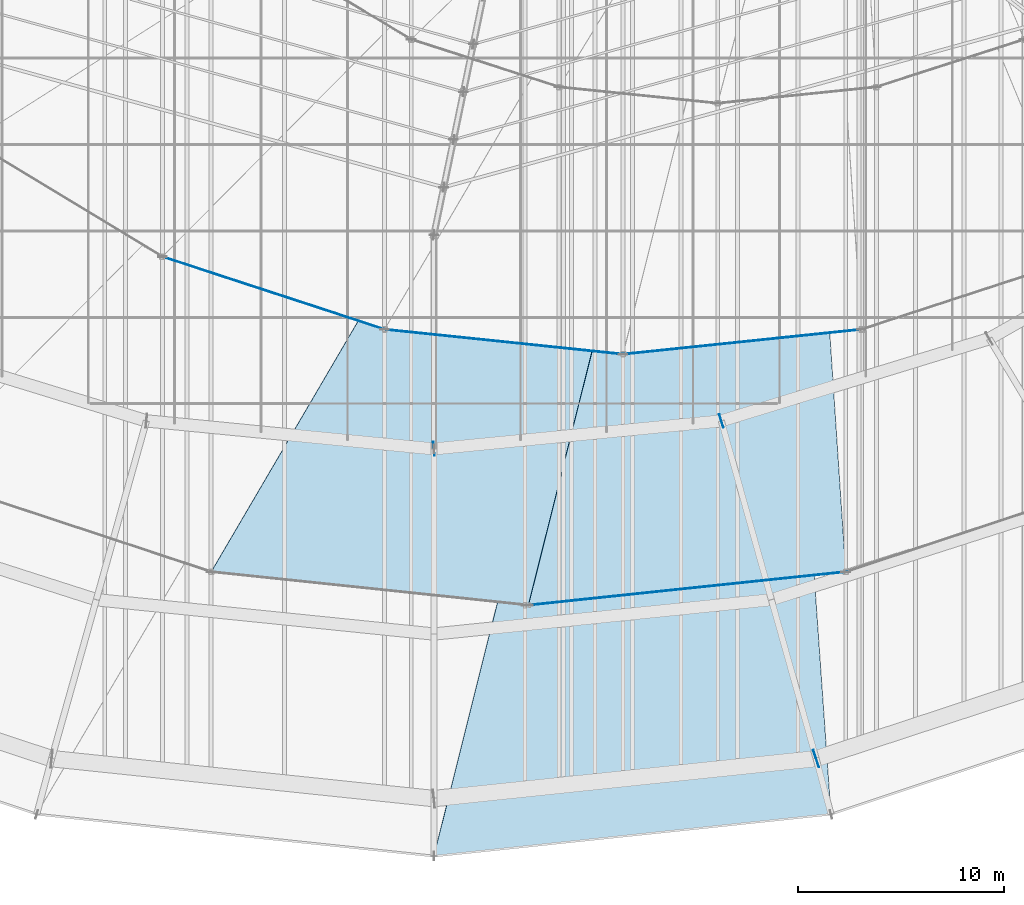
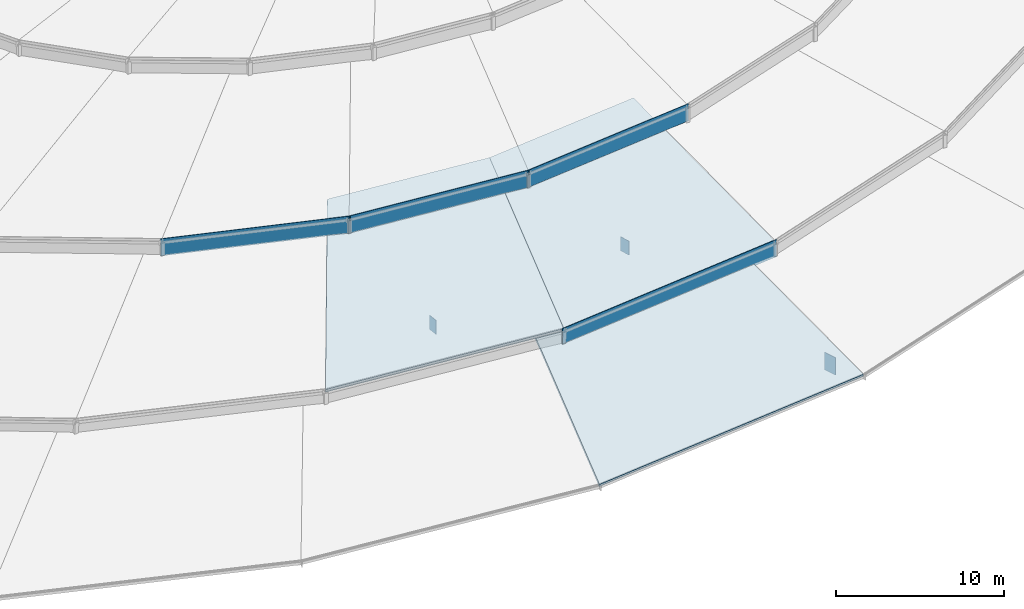
# One storey, part 141 of 184: 7 plates, 3 slabs.
"""IFC4 building model written with IfcOpenShell, lengths in metres."""

import ifcopenshell
import ifcopenshell.guid

model = None  # the IFC model being written
_history = None  # IfcOwnerHistory: only IFC2X3 demands one
_inside = {}  # id of a spatial element -> (the spatial element, [elements in it])
_under = {}  # id of a project, library or spatial element -> (it, [spatial elements below it])
_declared = {}  # id of a project -> (the project, [libraries it declares])
_typed = {}  # id of a type object -> (the type object, [elements of that type])
_made_of = {}  # id of a material, layer set ... -> (it, [elements and type objects made of it])


def new_model(schema):
    """Start an empty IFC model of exactly this schema.

    Asked for "IFC4X3", IfcOpenShell would pick the latest addendum, in which some entities
    have other attributes; the version numbers below select the first issue.
    IFC2X3 requires an IfcOwnerHistory on every rooted entity: one is made here for all.
    """
    global model, _history
    if schema == "IFC4X3":
        model = ifcopenshell.file(schema_version=(4, 3, 0, 0))
    else:
        model = ifcopenshell.file(schema=schema)
    _inside.clear()
    _under.clear()
    _declared.clear()
    _typed.clear()
    _made_of.clear()
    _history = None
    if model.schema == "IFC2X3":
        org = make("IfcOrganization", Name="unknown")
        user = make(
            "IfcPersonAndOrganization",
            ThePerson=make("IfcPerson", FamilyName="unknown"),
            TheOrganization=org,
        )
        app = make(
            "IfcApplication",
            ApplicationDeveloper=org,
            Version="unknown",
            ApplicationFullName="unknown",
            ApplicationIdentifier="unknown",
        )
        _history = make(
            "IfcOwnerHistory",
            OwningUser=user,
            OwningApplication=app,
            ChangeAction="ADDED",
            CreationDate=0,
        )
    return model


def make(cls, **values):
    """One entity of the class cls with the attributes given. An attribute that is None is left unset."""
    return model.create_entity(
        cls, **{name: value for name, value in values.items() if value is not None}
    )


def rooted(cls, **values):
    """An entity with a GlobalId (a new one), such as an element, a storey or a relation."""
    return make(cls, GlobalId=ifcopenshell.guid.new(), OwnerHistory=_history, **values)


def si_unit(unit_type, name, prefix=None):
    """IfcSIUnit, for example si_unit("LENGTHUNIT", "METRE", prefix="MILLI")."""
    return make("IfcSIUnit", UnitType=unit_type, Prefix=prefix, Name=name)


def assignment(units):
    """IfcUnitAssignment: the units of a project."""
    return None if units is None else make("IfcUnitAssignment", Units=units)


def point(xyz):
    """IfcCartesianPoint."""
    return None if xyz is None else make("IfcCartesianPoint", Coordinates=xyz)


def direction(xyz):
    """IfcDirection."""
    return None if xyz is None else make("IfcDirection", DirectionRatios=xyz)


def frame(location, z_axis=None, x_axis=None):
    """IfcAxis2Placement3D, a coordinate frame: its origin and axes. An axis left out is left unset."""
    return make(
        "IfcAxis2Placement3D",
        Location=point(location),
        Axis=direction(z_axis),
        RefDirection=direction(x_axis),
    )


def frame_2d(location, x_axis=None):
    """IfcAxis2Placement2D, a coordinate frame in the plane: its origin and x axis."""
    return make(
        "IfcAxis2Placement2D", Location=point(location), RefDirection=direction(x_axis)
    )


def origin():
    """The frame at (0, 0, 0) with its axes left unset."""
    return frame((0.0, 0.0, 0.0))


def origin_2d():
    """The frame at (0, 0) in the plane with its x axis left unset."""
    return frame_2d((0.0, 0.0))


def place(relative_to, where):
    """IfcLocalPlacement: puts the frame where relative to a parent placement (None: the world)."""
    return make(
        "IfcLocalPlacement", PlacementRelTo=relative_to, RelativePlacement=where
    )


def context(
    kind, dimensions, precision=None, world=None, true_north=None, identifier=None
):
    """IfcGeometricRepresentationContext, for example the 3D "Model" context."""
    return make(
        "IfcGeometricRepresentationContext",
        ContextIdentifier=identifier,
        ContextType=kind,
        CoordinateSpaceDimension=dimensions,
        Precision=precision,
        WorldCoordinateSystem=world,
        TrueNorth=true_north,
    )


def subcontext(parent, identifier, kind, view, scale=None):
    """IfcGeometricRepresentationSubContext, for example "Body" below "Model"."""
    return make(
        "IfcGeometricRepresentationSubContext",
        ContextIdentifier=identifier,
        ContextType=kind,
        ParentContext=parent,
        TargetScale=scale,
        TargetView=view,
    )


def project(units=None, contexts=None):
    """IfcProject with its units and contexts."""
    return rooted(
        "IfcProject",
        Name="project",
        RepresentationContexts=contexts,
        UnitsInContext=assignment(units),
    )


def spatial(cls, under=None, at=None, **own):
    """A site, building, storey or space (cls), placed at a placement, below another one or the project."""
    s = rooted(cls, ObjectPlacement=at, **own)
    if under is not None:
        _under.setdefault(under.id(), (under, []))[1].append(s)
    return s


def polyline(points):
    """IfcPolyline through the points."""
    return make("IfcPolyline", Points=[point(p) for p in points])


def profile(cls, at=None, kind="AREA", **sizes):
    """A parametric profile (cls). Its sizes go by their IFC names, for example OverallWidth=200.0."""
    return make(cls, ProfileType=kind, Position=at, **sizes)


def rectangle(**sizes):
    """IfcRectangleProfileDef."""
    return profile("IfcRectangleProfileDef", **sizes)


def outline(outer, holes=None, kind="AREA"):
    """IfcArbitraryClosedProfileDef: a profile drawn as a closed curve; with holes, ...WithVoids."""
    if holes is None:
        return make("IfcArbitraryClosedProfileDef", ProfileType=kind, OuterCurve=outer)
    return make(
        "IfcArbitraryProfileDefWithVoids",
        ProfileType=kind,
        OuterCurve=outer,
        InnerCurves=holes,
    )


def extrude(swept, where, along, depth):
    """IfcExtrudedAreaSolid: the profile swept, set in the frame where, extruded along a direction by depth."""
    return make(
        "IfcExtrudedAreaSolid",
        SweptArea=swept,
        Position=where,
        ExtrudedDirection=direction(along),
        Depth=depth,
    )


def shape(context_of_items, identifier, shape_type, items):
    """IfcShapeRepresentation: the items that make up one representation, for example the "Body"."""
    return make(
        "IfcShapeRepresentation",
        ContextOfItems=context_of_items,
        RepresentationIdentifier=identifier,
        RepresentationType=shape_type,
        Items=items,
    )


def material(Name=None, Category=None):
    """IfcMaterial."""
    return make("IfcMaterial", Name=Name, Category=Category)


def layer(
    of_material, thickness, ventilated=None, Name=None, Category=None, Priority=None
):
    """IfcMaterialLayer: one layer of a wall or slab, of a material (None: an air gap)."""
    return make(
        "IfcMaterialLayer",
        Material=of_material,
        LayerThickness=thickness,
        IsVentilated=ventilated,
        Name=Name,
        Category=Category,
        Priority=Priority,
    )


def layer_set(layers, Name=None):
    """IfcMaterialLayerSet."""
    return make("IfcMaterialLayerSet", MaterialLayers=layers, LayerSetName=Name)


def made_of(thing, what):
    """Note that an element or type object is made of a material, layer set ...; save() writes the relation."""
    if what is not None:
        _made_of.setdefault(what.id(), (what, []))[1].append(thing)
    return thing


def type_object(cls, material=None, **own):
    """A type object (cls), such as IfcWallType, which elements share."""
    return made_of(rooted(cls, **own), material)


def element(
    cls,
    number,
    at=None,
    inside=None,
    cuts=None,
    type_object=None,
    material=None,
    context=None,
    identifier="Body",
    shape_type=None,
    held_by="IfcProductDefinitionShape",
    body=None,
    shapes=None,
    **own,
):
    """One element of the class cls, such as IfcWall. Its Tag is "e" and its number.

    at: its placement. inside: the storey or other place that contains it. cuts: it is an
    opening in that element (IfcRelVoidsElement). A single representation is given by context,
    identifier, shape_type and body (its items); several are given by shapes. held_by: the class
    of the entity that holds the representations. save() writes the other relations.
    """
    e = rooted(cls, Tag="e%d" % number, ObjectPlacement=at, **own)
    if body is not None:
        shapes = [shape(context, identifier, shape_type, body)]
    if shapes is not None:
        e.Representation = make(held_by, Representations=shapes)
    if inside is not None:
        _inside.setdefault(inside.id(), (inside, []))[1].append(e)
    if cuts is not None:
        rooted(
            "IfcRelVoidsElement", RelatingBuildingElement=cuts, RelatedOpeningElement=e
        )
    if type_object is not None:
        _typed.setdefault(type_object.id(), (type_object, []))[1].append(e)
    return made_of(e, material)


def aggregate(whole, parts):
    """IfcRelAggregates: a whole, such as a stair, and the parts it consists of."""
    return rooted("IfcRelAggregates", RelatingObject=whole, RelatedObjects=parts)


def save(model, path):
    """Write the relations noted so far, then the file.

    IfcRelAggregates (storeys below a building ...), IfcRelContainedInSpatialStructure (elements
    in a storey), IfcRelDefinesByType, IfcRelAssociatesMaterial and IfcRelDeclares: one each for
    every whole, place, type object, material and project.
    """
    for whole, parts in _under.values():
        aggregate(whole, parts)
    for where, things in _inside.values():
        rooted(
            "IfcRelContainedInSpatialStructure",
            RelatedElements=things,
            RelatingStructure=where,
        )
    for kind, things in _typed.values():
        rooted("IfcRelDefinesByType", RelatedObjects=things, RelatingType=kind)
    for what, things in _made_of.values():
        rooted("IfcRelAssociatesMaterial", RelatedObjects=things, RelatingMaterial=what)
    for by, libraries in _declared.values():
        rooted("IfcRelDeclares", RelatingContext=by, RelatedDefinitions=libraries)
    model.write(path)


model = new_model("IFC4")

# Units and contexts
model_context = context("Model", 3, precision=1e-05, world=origin(), true_north=direction((0.0, 1.0)))
body_context = subcontext(model_context, "Body", "Model", "MODEL_VIEW")
ifc_project = project(units=[si_unit("LENGTHUNIT", "METRE"), si_unit("AREAUNIT", "SQUARE_METRE"), si_unit("VOLUMEUNIT", "CUBIC_METRE"), si_unit("PLANEANGLEUNIT", "RADIAN"), si_unit("MASSUNIT", "GRAM", prefix="KILO")], contexts=[model_context])

# Site, building, storey
site_placement = place(None, origin())
site = spatial("IfcSite", under=ifc_project, at=site_placement, CompositionType="ELEMENT")
building_placement = place(site_placement, origin())
building = spatial("IfcBuilding", under=site, at=building_placement, Name="Kalgoora Escarpment Arena", CompositionType="ELEMENT")
storey_placement = place(building_placement, frame((0.0, 0.0, 27.60009765625)))
storey = spatial("IfcBuildingStorey", under=building, at=storey_placement, Name="Roof Level", CompositionType="ELEMENT", Elevation=27.60009765625)

# Plates
ifc_material_1 = material(Name="Low-E double-glazed petal clerestory glass", Category="glass")
ifc_layer_1 = layer(ifc_material_1, 0.035888671875)
ifc_layer_set_1 = layer_set([ifc_layer_1], Name="PLT-PETAL-CLERESTORY")
plate_type_1 = type_object("IfcPlateType", Name="PLT-PETAL-CLERESTORY", PredefinedType="USERDEFINED", material=ifc_layer_set_1)
plate_1_placement = place(storey_placement, frame((104.712890625, 17.2109375, 0.260009765625), z_axis=(0.0, 0.0, 1.0), x_axis=(0.994521895368, 0.104528463268, 0.0)))
element("IfcPlate", 1, at=plate_1_placement, inside=storey, type_object=plate_type_1, Name="Petal RP2 glazed clerestory collar panel S19", ObjectType="CLERESTORY PANEL", PredefinedType="USERDEFINED", context=body_context, shape_type="SweptSolid", body=[
    extrude(rectangle(XDim=15.743408203125, YDim=0.0400390625, at=origin_2d()), origin(), (0.0, 0.0, 1.0), 1.25),
])
plate_2_placement = place(storey_placement, frame((84.6025390625, 31.574462890625, 2.7099609375), z_axis=(0.0, 0.0, 1.0), x_axis=(0.950407227189, -0.311008203279, 0.0)))
element("IfcPlate", 2, at=plate_2_placement, inside=storey, type_object=plate_type_1, Name="Petal RP3 glazed clerestory collar panel S17", ObjectType="CLERESTORY PANEL", PredefinedType="USERDEFINED", context=body_context, shape_type="SweptSolid", body=[
    extrude(rectangle(XDim=11.53955078125, YDim=0.0400390625, at=origin_2d()), origin(), (0.0, 0.0, 1.0), 1.25),
])
for number, where, z_axis, x_axis, name in (
    (3, (95.802490234375, 29.203125, 2.7099609375), (0.0, 0.0, 1.0), (0.994630811991, -0.10348694525, 0.0), "Petal RP3 glazed clerestory collar panel S18"),
    (4, (107.3974609375, 29.203125, 2.7099609375), (0.0, 0.0, 1.0), (0.994630811991, 0.10348694525, 0.0), "Petal RP3 glazed clerestory collar panel S19"),
):
    element("IfcPlate", number, at=place(storey_placement, frame(where, z_axis=z_axis, x_axis=x_axis)), inside=storey, type_object=plate_type_1, Name=name, ObjectType="CLERESTORY PANEL", PredefinedType="USERDEFINED", context=body_context, shape_type="SweptSolid", body=[
        extrude(rectangle(XDim=11.83251953125, YDim=0.0400390625, at=origin_2d()), origin(), (0.0, 0.0, 1.0), 1.25),
    ])
ifc_material_2 = material(Name="Structural steel Grade 350 (350 MPa)", Category="steel")
ifc_layer_2 = layer(ifc_material_2, 0.031982421875)
ifc_layer_set_2 = layer_set([ifc_layer_2], Name="PLT-RING-DIAPH")
plate_type_2 = type_object("IfcPlateType", Name="PLT-RING-DIAPH", PredefinedType="USERDEFINED", material=ifc_layer_set_2)
plate_3_placement = place(storey_placement, frame((92.39990234375, 24.0, -1.760009765625), z_axis=(0.0, 0.0, 1.0), x_axis=(0.995278357843, 0.097061786558, 0.0)))
element("IfcPlate", 5, at=plate_3_placement, inside=storey, type_object=plate_type_2, Name="Inner ring node diaphragm plate 19", ObjectType="FLANGE PLATE", PredefinedType="USERDEFINED", context=body_context, shape_type="SweptSolid", body=[
    extrude(rectangle(XDim=0.031982421875, YDim=0.679931640625, at=origin_2d()), origin(), (0.0, 0.0, 1.0), 1.02001953125),
])
plate_4_placement = place(storey_placement, frame((110.983154296875, 8.942138671875, -2.09033203125), z_axis=(0.0, 0.0, 1.0), x_axis=(0.949972051525, 0.312334918512, 0.0)))
element("IfcPlate", 6, at=plate_4_placement, inside=storey, type_object=plate_type_2, Name="Compression ring node diaphragm plate 20", ObjectType="FLANGE PLATE", PredefinedType="USERDEFINED", context=body_context, shape_type="SweptSolid", body=[
    extrude(rectangle(XDim=0.031982421875, YDim=0.8798828125, at=origin_2d()), origin(), (0.0, 0.0, 1.0), 1.280029296875),
])
plate_5_placement = place(storey_placement, frame((106.376220703125, 25.363037109375, -1.760009765625), z_axis=(0.0, 0.0, 1.0), x_axis=(0.955998060733, 0.293372984228, 0.0)))
element("IfcPlate", 7, at=plate_5_placement, inside=storey, type_object=plate_type_2, Name="Inner ring node diaphragm plate 20", ObjectType="FLANGE PLATE", PredefinedType="USERDEFINED", context=body_context, shape_type="SweptSolid", body=[
    extrude(rectangle(XDim=0.031982421875, YDim=0.679931640625, at=origin_2d()), origin(), (0.0, 0.0, 1.0), 1.02001953125),
])

# Slabs
ifc_material_3 = material(Name="White acoustic composite Concrete N40 (fc' 40 MPa)", Category="concrete")
ifc_layer_3 = layer(ifc_material_3, 0.179931640625)
ifc_layer_set_3 = layer_set([ifc_layer_3], Name="SLB-PETAL-RP1")
slab_type_1 = type_object("IfcSlabType", Name="SLB-PETAL-RP1", PredefinedType="ROOF", material=ifc_layer_set_3)
slab_1_placement = place(storey_placement, frame((92.39990234375, 4.199951171875, -0.840087890625), z_axis=(0.011062621278, -0.10476331616, 0.994435652015), x_axis=(0.99447764383, 0.104948634468, -6.80041e-06)))
element("IfcSlab", 8, at=slab_1_placement, inside=storey, type_object=slab_type_1, Name="Shifted white roof petal RP1 sector 19", PredefinedType="ROOF", context=body_context, shape_type="SweptSolid", body=[
    extrude(outline(polyline([(0.0, 0.0), (19.415322324996335, 4.440892098500626e-16), (19.943264617175526, 15.181022661220892), (5.525761039783832, 15.188108710667917), (0.0, 0.0)])), origin(), (0.0, 0.0, -1.0), 0.179931640625),
])
ifc_material_4 = material(Name="White acoustic composite Concrete N40 (fc' 40 MPa)", Category="concrete")
ifc_layer_4 = layer(ifc_material_4, 0.205078125)
ifc_layer_set_4 = layer_set([ifc_layer_4], Name="SLB-PETAL-RP2")
slab_type_2 = type_object("IfcSlabType", Name="SLB-PETAL-RP2", PredefinedType="ROOF", material=ifc_layer_set_4)
slab_2_placement = place(storey_placement, frame((81.574462890625, 18.02197265625, 1.449951171875), z_axis=(-0.010464000569, -0.099510180672, 0.994981521755), x_axis=(0.99451665924, -0.104578269706, 2.0478e-08)))
element("IfcSlab", 9, at=slab_2_placement, inside=storey, type_object=slab_type_2, Name="Shifted white roof petal RP2 sector 18", PredefinedType="ROOF", context=body_context, shape_type="SweptSolid", body=[
    extrude(outline(polyline([(0.0, 0.0), (15.510586939616404, 0.0), (17.767628481212682, 16.003763418494856), (7.203166058613582, 15.98912893143281), (0.0, 0.0)])), origin(), (0.0, 0.0, -1.0), 0.205078125),
])
slab_3_placement = place(storey_placement, frame((97.0, 16.39990234375, 1.449951171875), z_axis=(0.01101154104, -0.104746563374, 0.9944379837), x_axis=(0.994516693079, 0.104577947853, 3.036149e-06)))
element("IfcSlab", 10, at=slab_3_placement, inside=storey, type_object=slab_type_2, Name="Shifted white roof petal RP2 sector 19", PredefinedType="ROOF", context=body_context, shape_type="SweptSolid", body=[
    extrude(outline(polyline([(0.0, 0.0), (15.510586939544115, 2.220446049250313e-16), (16.08460914255383, 15.17549014662849), (5.519903917842104, 15.190149821334238), (0.0, 0.0)])), origin(), (0.0, 0.0, -1.0), 0.205078125),
])

save(model, "model.ifc")
